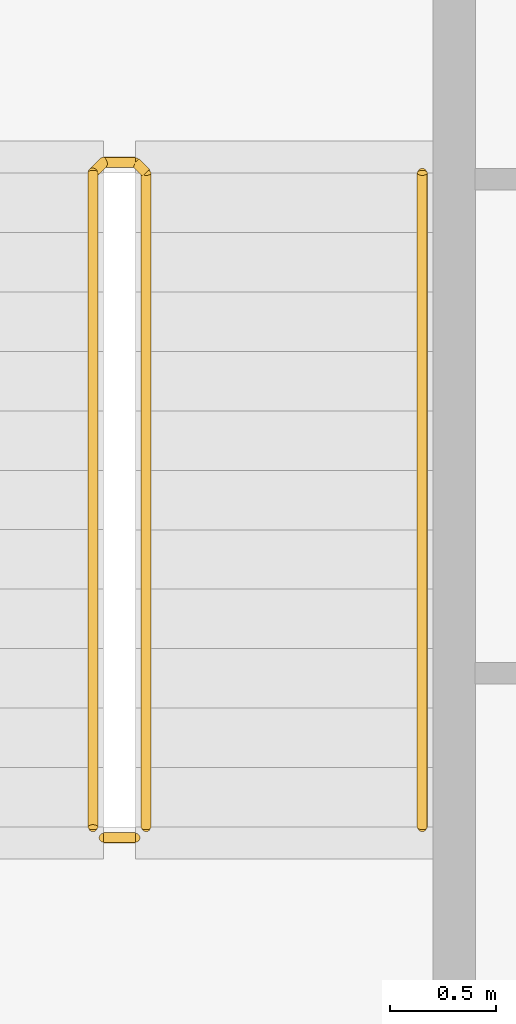
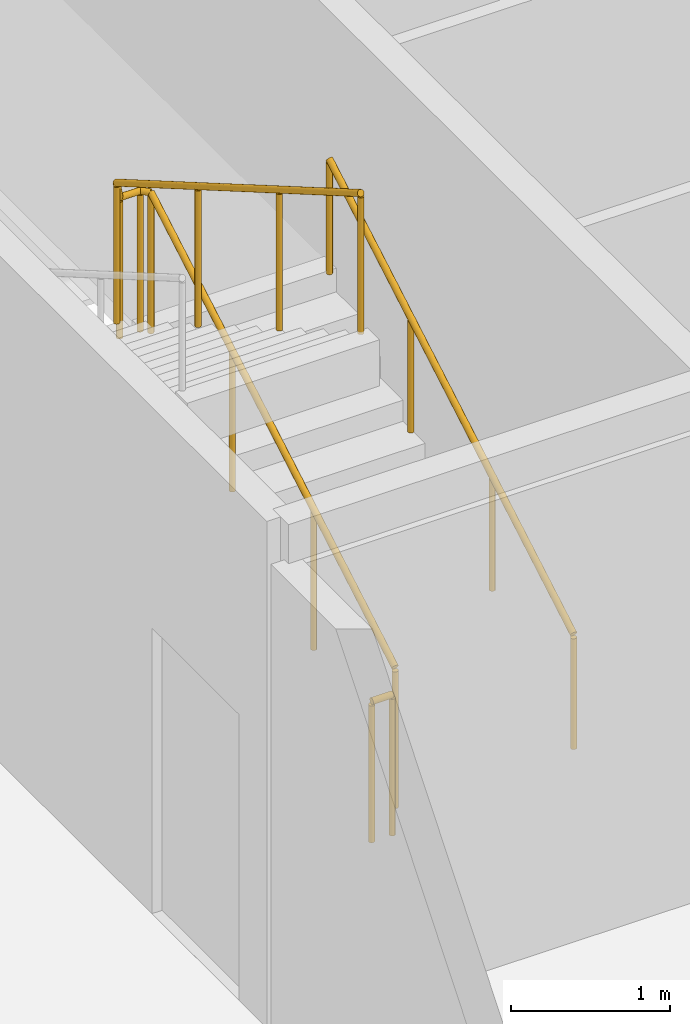
# One storey, part 19 of 20: 3 railings.
"""IFC4 building model written with IfcOpenShell, lengths in metres."""

from ifc_helpers import new_model, si_unit, direction, frame, origin, origin_2d, place, context, subcontext, project, spatial, circle, extrude, material, type_object, element, save


model = new_model("IFC4")

# Units and contexts
model_context = context("Model", 3, precision=1e-05, world=origin(), true_north=direction((0.0, 1.0)))
body_context = subcontext(model_context, "Body", "Model", "MODEL_VIEW")
ifc_project = project(units=[si_unit("LENGTHUNIT", "METRE"), si_unit("AREAUNIT", "SQUARE_METRE"), si_unit("VOLUMEUNIT", "CUBIC_METRE"), si_unit("PLANEANGLEUNIT", "RADIAN"), si_unit("MASSUNIT", "GRAM", prefix="KILO")], contexts=[model_context])

# Site, building, storey
site_placement = place(None, origin())
site = spatial("IfcSite", under=ifc_project, at=site_placement, CompositionType="ELEMENT")
building_placement = place(site_placement, origin())
building = spatial("IfcBuilding", under=site, at=building_placement, Name="Kheshtan School and Residences Tower", CompositionType="ELEMENT")
storey_placement = place(building_placement, frame((0.0, 0.0, 286.39990234375)))
storey = spatial("IfcBuildingStorey", under=building, at=storey_placement, Name="L67", CompositionType="ELEMENT", Elevation=286.39990234375)

# Railings
ifc_material_1 = material(Name="Stainless steel balustrade", Category="steel")
railing_type_1 = type_object("IfcRailingType", Name="Stair guard 1100", PredefinedType="GUARDRAIL", material=ifc_material_1)
railing_1_placement = place(storey_placement, frame((35.0, 80.89990234375, 0.16259765625)))
element("IfcRailing", 1, at=railing_1_placement, inside=storey, type_object=railing_type_1, Name="L67 ST3 stair guard 1", PredefinedType="GUARDRAIL", context=body_context, shape_type="SweptSolid", body=[
    extrude(circle(Radius=0.02392578125, at=origin_2d()), frame((0.0, 0.0, 1.076171875), z_axis=(0.0, 0.864890721111, 0.501960198159), x_axis=(-1.0, 0.0, 0.0)), (0.0, 0.0, 1.0), 3.561279296875),
    extrude(circle(Radius=0.02392578125, at=origin_2d()), frame((0.0, 3.080078125, 2.86376953125), z_axis=(-0.707106781187, 0.707106781187, 0.0), x_axis=(-0.707106781187, -0.707106781187, 0.0)), (0.0, 0.0, 1.0), 0.07080078125),
    extrude(circle(Radius=0.02392578125, at=origin_2d()), frame((-0.050048828125, 3.130126953125, 2.86376953125), z_axis=(-1.0, 0.0, 0.0), x_axis=(0.0, -1.0, 0.0)), (0.0, 0.0, 1.0), 0.14990234375),
    extrude(circle(Radius=0.02392578125, at=origin_2d()), frame((-0.199951171875, 3.130126953125, 2.86376953125), z_axis=(-0.282583949758, -0.282583949758, 0.916674763849), x_axis=(0.707106781187, -0.707106781187, 0.0)), (0.0, 0.0, 1.0), 0.177001953125),
    extrude(circle(Radius=0.02392578125, at=origin_2d()), frame((-0.25, 3.080078125, 3.02587890625), z_axis=(0.0, -0.864890721111, 0.501960198159), x_axis=(1.0, 0.0, 0.0)), (0.0, 0.0, 1.0), 3.561279296875),
    extrude(circle(Radius=0.02099609375, at=origin_2d()), origin(), (0.0, 0.0, 1.0), 1.052001953125),
    extrude(circle(Radius=0.02099609375, at=origin_2d()), frame((0.0, 1.026611328125, 0.595947265625)), (0.0, 0.0, 1.0), 1.052001953125),
    extrude(circle(Radius=0.02099609375, at=origin_2d()), frame((0.0, 2.053466796875, 1.191650390625)), (0.0, 0.0, 1.0), 1.052001953125),
    extrude(circle(Radius=0.02099609375, at=origin_2d()), frame((0.0, 3.080078125, 1.78759765625)), (0.0, 0.0, 1.0), 1.052001953125),
    extrude(circle(Radius=0.02099609375, at=origin_2d()), frame((-0.050048828125, 3.130126953125, 1.78759765625)), (0.0, 0.0, 1.0), 1.052001953125),
    extrude(circle(Radius=0.02099609375, at=origin_2d()), frame((-0.199951171875, 3.130126953125, 1.78759765625)), (0.0, 0.0, 1.0), 1.052001953125),
    extrude(circle(Radius=0.02099609375, at=origin_2d()), frame((-0.25, 3.080078125, 1.949951171875)), (0.0, 0.0, 1.0), 1.052001953125),
    extrude(circle(Radius=0.02099609375, at=origin_2d()), frame((-0.25, 2.053466796875, 2.5458984375)), (0.0, 0.0, 1.0), 1.052001953125),
    extrude(circle(Radius=0.02099609375, at=origin_2d()), frame((-0.25, 1.026611328125, 3.1416015625)), (0.0, 0.0, 1.0), 1.052001953125),
    extrude(circle(Radius=0.02099609375, at=origin_2d()), frame((-0.25, 0.0, 3.737548828125)), (0.0, 0.0, 1.0), 1.052001953125),
])
railing_2_placement = place(storey_placement, frame((34.949951171875, 80.85009765625, 0.0)))
element("IfcRailing", 2, at=railing_2_placement, inside=storey, type_object=railing_type_1, Name="L67 ST3 stair guard 2", PredefinedType="GUARDRAIL", context=body_context, shape_type="SweptSolid", body=[
    extrude(circle(Radius=0.02392578125, at=origin_2d()), frame((0.0, 0.0, 1.076171875), z_axis=(-1.0, 0.0, 0.0), x_axis=(0.0, -1.0, 0.0)), (0.0, 0.0, 1.0), 0.14990234375),
    extrude(circle(Radius=0.02099609375, at=origin_2d()), origin(), (0.0, 0.0, 1.0), 1.052001953125),
    extrude(circle(Radius=0.02099609375, at=origin_2d()), frame((-0.14990234375, 0.0, 0.0)), (0.0, 0.0, 1.0), 1.052001953125),
])
ifc_material_2 = material(Name="Stainless steel handrail", Category="steel")
railing_type_2 = type_object("IfcRailingType", Name="Stair handrail 900", PredefinedType="HANDRAIL", material=ifc_material_2)
railing_3_placement = place(storey_placement, frame((36.300048828125, 80.89990234375, 0.16259765625)))
element("IfcRailing", 3, at=railing_3_placement, inside=storey, type_object=railing_type_2, Name="L67 ST3 stair handrail 1", PredefinedType="HANDRAIL", context=body_context, shape_type="SweptSolid", body=[
    extrude(circle(Radius=0.02392578125, at=origin_2d()), frame((0.0, 0.0, 0.8759765625), z_axis=(0.0, 0.864890721111, 0.501960198159), x_axis=(-1.0, 0.0, 0.0)), (0.0, 0.0, 1.0), 3.561279296875),
    extrude(circle(Radius=0.02099609375, at=origin_2d()), origin(), (0.0, 0.0, 1.0), 0.851806640625),
    extrude(circle(Radius=0.02099609375, at=origin_2d()), frame((0.0, 1.026611328125, 0.595947265625)), (0.0, 0.0, 1.0), 0.851806640625),
    extrude(circle(Radius=0.02099609375, at=origin_2d()), frame((0.0, 2.053466796875, 1.191650390625)), (0.0, 0.0, 1.0), 0.851806640625),
    extrude(circle(Radius=0.02099609375, at=origin_2d()), frame((0.0, 3.080078125, 1.78759765625)), (0.0, 0.0, 1.0), 0.851806640625),
])

save(model, "model.ifc")
